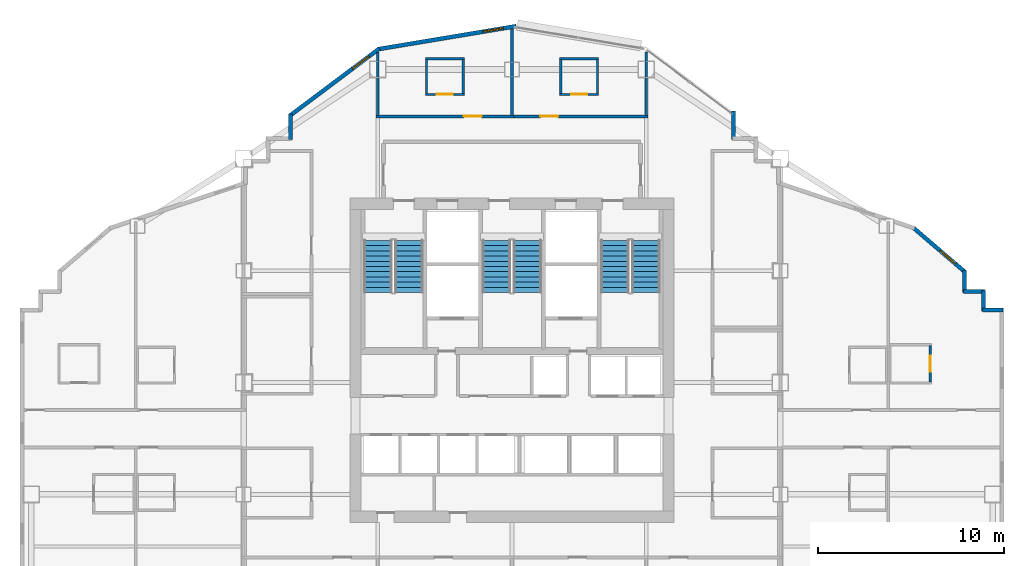
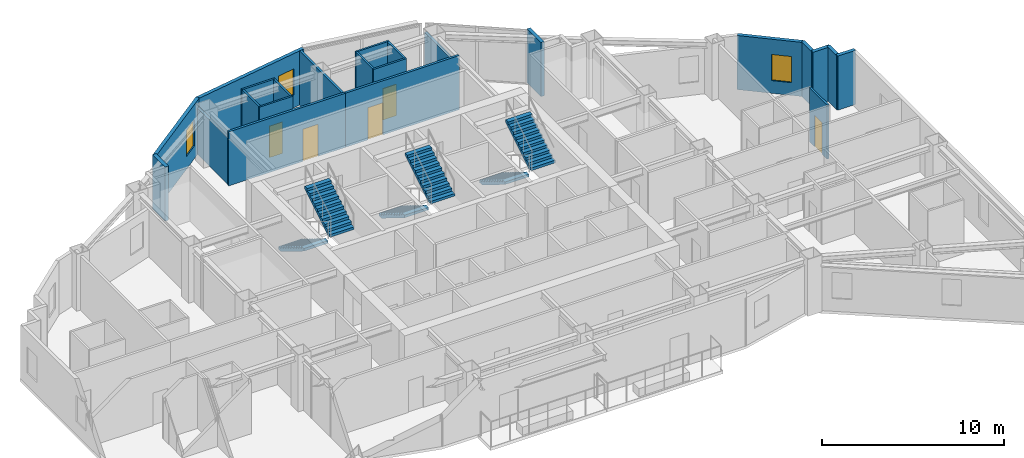
# One storey, part 9 of 12: 23 walls, 6 stair flights, 5 doors, 3 windows, 8 openings, 3 elements without a shape of their own.
"""IFC4 building model written with IfcOpenShell, lengths in metres."""

from ifc_helpers import new_model, si_unit, direction, frame, frame_2d, origin, place, context, subcontext, project, spatial, polyline, rectangle, outline, extrude, material, layer, layer_set, type_object, element, fill, aggregate, save


model = new_model("IFC4")

# Units and contexts
model_context = context("Model", 3, precision=1e-05, world=origin(), true_north=direction((0.0, 1.0)))
body_context = subcontext(model_context, "Body", "Model", "MODEL_VIEW")
ifc_project = project(units=[si_unit("LENGTHUNIT", "METRE"), si_unit("AREAUNIT", "SQUARE_METRE"), si_unit("VOLUMEUNIT", "CUBIC_METRE"), si_unit("PLANEANGLEUNIT", "RADIAN"), si_unit("MASSUNIT", "GRAM", prefix="KILO")], contexts=[model_context])

# Site, building, storey
site_placement = place(None, origin())
site = spatial("IfcSite", under=ifc_project, at=site_placement, CompositionType="ELEMENT")
building_placement = place(site_placement, origin())
building = spatial("IfcBuilding", under=site, at=building_placement, Name="Haolan Belvedere Tower", CompositionType="ELEMENT")
storey_placement = place(building_placement, frame((0.0, 0.0, 169.0)))
storey = spatial("IfcBuildingStorey", under=building, at=storey_placement, Name="L42", CompositionType="ELEMENT", Elevation=169.0)

# Walls
ifc_material_1 = material(Name="Precast concrete C40/50", Category="concrete")
ifc_layer_1 = layer(ifc_material_1, 0.219970703125, Name="Precast concrete C40/50")
ifc_layer_set_1 = layer_set([ifc_layer_1], Name="Precast concrete C40/50")
wall_type_1 = type_object("IfcWallType", Name="WL-EXT-220", PredefinedType="SOLIDWALL", material=ifc_layer_set_1)
wall_1_placement = place(storey_placement, frame((64.7451171875, 37.489990234375, 0.0), z_axis=(0.0, 0.0, 1.0), x_axis=(-1.0, 0.0, 0.0)))
element("IfcWall", 1, at=wall_1_placement, inside=storey, type_object=wall_type_1, Name="L42 pale-metal exterior spandrel wall 9.1", PredefinedType="SOLIDWALL", context=body_context, shape_type="SweptSolid", body=[
    extrude(rectangle(XDim=1.110107421875, YDim=0.219970703125, at=frame_2d((0.55517578125, 0.0))), origin(), (0.0, 0.0, 1.0), 3.6201171875),
])
wall_2_placement = place(storey_placement, frame((63.68994140625, 37.43505859375, 0.0), z_axis=(0.0, 0.0, 1.0), x_axis=(0.0, 1.0, 0.0)))
element("IfcWall", 2, at=wall_2_placement, inside=storey, type_object=wall_type_1, Name="L42 pale-metal exterior spandrel wall 10.1", PredefinedType="SOLIDWALL", context=body_context, shape_type="SweptSolid", body=[
    extrude(rectangle(XDim=1.10986328125, YDim=0.219970703125, at=frame_2d((0.554931640625, 0.0))), origin(), (0.0, 0.0, 1.0), 3.6201171875),
])
wall_3_placement = place(storey_placement, frame((63.7451171875, 38.489990234375, 0.0), z_axis=(0.0, 0.0, 1.0), x_axis=(-1.0, 0.0, 0.0)))
element("IfcWall", 3, at=wall_3_placement, inside=storey, type_object=wall_type_1, Name="L42 pale-metal exterior spandrel wall 11.1", PredefinedType="SOLIDWALL", context=body_context, shape_type="SweptSolid", body=[
    extrude(rectangle(XDim=1.110107421875, YDim=0.219970703125, at=frame_2d((0.55517578125, 0.0))), origin(), (0.0, 0.0, 1.0), 3.6201171875),
])
wall_4_placement = place(storey_placement, frame((62.68994140625, 38.43505859375, 0.0), z_axis=(0.0, 0.0, 1.0), x_axis=(0.0, 1.0, 0.0)))
element("IfcWall", 4, at=wall_4_placement, inside=storey, type_object=wall_type_1, Name="L42 pale-metal exterior spandrel wall 12.1", PredefinedType="SOLIDWALL", context=body_context, shape_type="SweptSolid", body=[
    extrude(rectangle(XDim=1.16943359375, YDim=0.219970703125, at=frame_2d((0.584716796875, 0.0))), origin(), (0.0, 0.0, 1.0), 3.6201171875),
])

# Wall, opening, window
wall_5_placement = place(storey_placement, frame((62.731689453125, 39.513671875, 0.0), z_axis=(0.0, 0.0, 1.0), x_axis=(-0.759251976569, 0.65079677018, 0.0)))
wall_5 = element("IfcWall", 5, at=wall_5_placement, inside=storey, type_object=wall_type_1, Name="L42 pale-metal exterior spandrel wall 13.1", PredefinedType="SOLIDWALL", context=body_context, shape_type="SweptSolid", body=[
    extrude(rectangle(XDim=3.7255859375, YDim=0.219970703125, at=frame_2d((1.86279296875, 0.0))), origin(), (0.0, 0.0, 1.0), 3.6201171875),
])
opening_1_placement = place(wall_5_placement, frame((0.699951171875, 0.0, 0.85009765625)))
opening_1 = element("IfcOpeningElement", 6, at=opening_1_placement, cuts=wall_5, Name="Opening W-03", PredefinedType="OPENING", context=body_context, shape_type="SweptSolid", body=[
    extrude(rectangle(XDim=1.10009765625, YDim=1.75, at=frame_2d((0.550048828125, 0.875))), frame((0.0, 0.119873046875, 0.0), z_axis=(0.0, -1.0, 0.0), x_axis=(1.0, 0.0, 0.0)), (0.0, 0.0, 1.0), 0.239990234375),
])
ifc_material_2 = material(Name="Anodised aluminium 6063-T6 and Low-E glass", Category="aluminium")
window_type = type_object("IfcWindowType", Name="WN-DECO-Z3", PartitioningType="SINGLE_PANEL", PredefinedType="WINDOW", material=ifc_material_2)
window_1_placement = place(opening_1_placement, origin())
window_1 = element("IfcWindow", 7, at=window_1_placement, inside=storey, type_object=window_type, Name="L42 Art Deco chevron window 1", OverallHeight=1.75, OverallWidth=1.10009765625, PartitioningType="SINGLE_PANEL", PredefinedType="WINDOW", context=body_context, shape_type="SweptSolid", body=[
    extrude(rectangle(XDim=1.10009765625, YDim=1.75, at=frame_2d((0.550048828125, 0.875))), frame((0.0, 0.030029296875, 0.0), z_axis=(0.0, -1.0, 0.0), x_axis=(1.0, 0.0, 0.0)), (0.0, 0.0, 1.0), 0.06005859375),
])
fill(opening_1, window_1)

# Wall
wall_6_placement = place(storey_placement, frame((50.2900390625, 46.635009765625, 0.0), z_axis=(0.0, 0.0, 1.0), x_axis=(0.0, 1.0, 0.0)))
element("IfcWall", 8, at=wall_6_placement, inside=storey, type_object=wall_type_1, Name="L42 pale-metal exterior spandrel wall 19.1", PredefinedType="SOLIDWALL", context=body_context, shape_type="SweptSolid", body=[
    extrude(rectangle(XDim=1.534912109375, YDim=0.219970703125, at=frame_2d((0.767578125, 0.0))), origin(), (0.0, 0.0, 1.0), 3.6201171875),
])

# Wall, opening, window
wall_7_placement = place(storey_placement, frame((38.621826171875, 52.7255859375, 0.0), z_axis=(0.0, 0.0, 1.0), x_axis=(-0.986390420428, -0.164420006349, 0.0)))
wall_7 = element("IfcWall", 9, at=wall_7_placement, inside=storey, type_object=wall_type_1, Name="L42 pale-metal exterior spandrel wall 22.1", PredefinedType="SOLIDWALL", context=body_context, shape_type="SweptSolid", body=[
    extrude(rectangle(XDim=7.5341796875, YDim=0.219970703125, at=frame_2d((3.76708984375, 0.0))), origin(), (0.0, 0.0, 1.0), 3.6201171875),
])
opening_2_placement = place(wall_7_placement, frame((0.699951171875, 0.0, 0.85009765625)))
opening_2 = element("IfcOpeningElement", 10, at=opening_2_placement, cuts=wall_7, Name="Opening W-03", PredefinedType="OPENING", context=body_context, shape_type="SweptSolid", body=[
    extrude(rectangle(XDim=1.10009765625, YDim=1.75, at=frame_2d((0.550048828125, 0.875))), frame((0.0, 0.119873046875, 0.0), z_axis=(0.0, -1.0, 0.0), x_axis=(1.0, 0.0, 0.0)), (0.0, 0.0, 1.0), 0.239990234375),
])
window_2_placement = place(opening_2_placement, origin())
window_2 = element("IfcWindow", 11, at=window_2_placement, inside=storey, type_object=window_type, Name="L42 Art Deco chevron window 1", OverallHeight=1.75, OverallWidth=1.10009765625, PartitioningType="SINGLE_PANEL", PredefinedType="WINDOW", context=body_context, shape_type="SweptSolid", body=[
    extrude(rectangle(XDim=1.10009765625, YDim=1.75, at=frame_2d((0.550048828125, 0.875))), frame((0.0, 0.030029296875, 0.0), z_axis=(0.0, -1.0, 0.0), x_axis=(1.0, 0.0, 0.0)), (0.0, 0.0, 1.0), 0.06005859375),
])
fill(opening_2, window_2)

wall_8_placement = place(storey_placement, frame((31.28857421875, 51.52880859375, 0.0), z_axis=(0.0, 0.0, 1.0), x_axis=(-0.800014580093, -0.599980559383, 0.0)))
wall_8 = element("IfcWall", 12, at=wall_8_placement, inside=storey, type_object=wall_type_1, Name="L42 pale-metal exterior spandrel wall 23.1", PredefinedType="SOLIDWALL", context=body_context, shape_type="SweptSolid", body=[
    extrude(rectangle(XDim=6.028076171875, YDim=0.219970703125, at=frame_2d((3.01416015625, 0.0))), origin(), (0.0, 0.0, 1.0), 3.6201171875),
])
opening_3_placement = place(wall_8_placement, frame((0.699951171875, 0.0, 0.85009765625)))
opening_3 = element("IfcOpeningElement", 13, at=opening_3_placement, cuts=wall_8, Name="Opening W-03", PredefinedType="OPENING", context=body_context, shape_type="SweptSolid", body=[
    extrude(rectangle(XDim=1.10009765625, YDim=1.75, at=frame_2d((0.550048828125, 0.875))), frame((0.0, 0.119873046875, 0.0), z_axis=(0.0, -1.0, 0.0), x_axis=(1.0, 0.0, 0.0)), (0.0, 0.0, 1.0), 0.239990234375),
])
window_3_placement = place(opening_3_placement, origin())
window_3 = element("IfcWindow", 14, at=window_3_placement, inside=storey, type_object=window_type, Name="L42 Art Deco chevron window 1", OverallHeight=1.75, OverallWidth=1.10009765625, PartitioningType="SINGLE_PANEL", PredefinedType="WINDOW", context=body_context, shape_type="SweptSolid", body=[
    extrude(rectangle(XDim=1.10009765625, YDim=1.75, at=frame_2d((0.550048828125, 0.875))), frame((0.0, 0.030029296875, 0.0), z_axis=(0.0, -1.0, 0.0), x_axis=(1.0, 0.0, 0.0)), (0.0, 0.0, 1.0), 0.06005859375),
])
fill(opening_3, window_3)

# Wall
wall_9_placement = place(storey_placement, frame((26.510009765625, 48.0, 0.0), z_axis=(0.0, 0.0, 1.0), x_axis=(0.0, -1.0, 0.0)))
element("IfcWall", 15, at=wall_9_placement, inside=storey, type_object=wall_type_1, Name="L42 pale-metal exterior spandrel wall 24.1", PredefinedType="SOLIDWALL", context=body_context, shape_type="SweptSolid", body=[
    extrude(rectangle(XDim=1.364990234375, YDim=0.219970703125, at=frame_2d((0.6826171875, 0.0))), origin(), (0.0, 0.0, 1.0), 3.6201171875),
])

# Wall, opening, door
ifc_material_3 = material(Name="Double gypsum acoustic stud partition", Category="masonry")
ifc_layer_2 = layer(ifc_material_3, 0.14990234375, Name="Double gypsum acoustic stud partition")
ifc_layer_set_2 = layer_set([ifc_layer_2], Name="Double gypsum acoustic stud partition")
wall_type_2 = type_object("IfcWallType", Name="WL-PART-150", PredefinedType="PARTITIONING", material=ifc_layer_set_2)
wall_10_placement = place(storey_placement, frame((31.10009765625, 47.8798828125, 0.0), z_axis=(0.0, 0.0, 1.0), x_axis=(1.0, 0.0, 0.0)))
wall_10 = element("IfcWall", 16, at=wall_10_placement, inside=storey, type_object=wall_type_2, Name="L42 interior partition IW-L42-KN2-S", PredefinedType="PARTITIONING", context=body_context, shape_type="SweptSolid", body=[
    extrude(rectangle(XDim=7.39990234375, YDim=0.14990234375, at=frame_2d((3.699951171875, 0.0))), origin(), (0.0, 0.0, 1.0), 3.6201171875),
])
opening_4_placement = place(wall_10_placement, frame((4.713623046875, 0.0, 0.0)))
opening_4 = element("IfcOpeningElement", 17, at=opening_4_placement, cuts=wall_10, Name="Opening ID-02", PredefinedType="OPENING", context=body_context, shape_type="SweptSolid", body=[
    extrude(rectangle(XDim=0.949951171875, YDim=2.14990234375, at=frame_2d((0.47509765625, 1.074951171875))), frame((0.0, 0.0849609375, 0.0), z_axis=(0.0, -1.0, 0.0), x_axis=(1.0, 0.0, 0.0)), (0.0, 0.0, 1.0), 0.169921875),
])
ifc_material_4 = material(Name="Acoustic oak veneer fire-rated timber", Category="wood")
door_type_1 = type_object("IfcDoorType", Name="DR-GUEST-950", OperationType="NOTDEFINED", PredefinedType="DOOR", material=ifc_material_4)
door_1_placement = place(opening_4_placement, origin())
door_1 = element("IfcDoor", 18, at=door_1_placement, inside=storey, type_object=door_type_1, Name="L42 door ID-L42-KN2-ENT", OperationType="SINGLE_SWING_LEFT", OverallHeight=2.14990234375, OverallWidth=0.949951171875, PredefinedType="DOOR", context=body_context, shape_type="SweptSolid", body=[
    extrude(rectangle(XDim=0.949951171875, YDim=2.14990234375, at=frame_2d((0.47509765625, 1.074951171875))), frame((0.0, 0.02490234375, 0.0), z_axis=(0.0, -1.0, 0.0), x_axis=(1.0, 0.0, 0.0)), (0.0, 0.0, 1.0), 0.050048828125),
])
fill(opening_4, door_1)

# Walls
wall_11_placement = place(storey_placement, frame((31.199951171875, 47.93994140625, 0.0), z_axis=(0.0, 0.0, 1.0), x_axis=(0.0, 1.0, 0.0)))
element("IfcWall", 19, at=wall_11_placement, inside=storey, type_object=wall_type_2, Name="L42 interior partition IW-L42-KN2-W", PredefinedType="PARTITIONING", context=body_context, shape_type="SweptSolid", body=[
    extrude(rectangle(XDim=3.39501953125, YDim=0.14990234375, at=frame_2d((1.697509765625, 0.0))), origin(), (0.0, 0.0, 1.0), 3.10498046875),
])
wall_12_placement = place(storey_placement, frame((38.39990234375, 47.93994140625, 0.0), z_axis=(0.0, 0.0, 1.0), x_axis=(0.0, 1.0, 0.0)))
element("IfcWall", 20, at=wall_12_placement, inside=storey, type_object=wall_type_2, Name="L42 interior partition IW-L42-KN2-E", PredefinedType="PARTITIONING", context=body_context, shape_type="SweptSolid", body=[
    extrude(rectangle(XDim=4.645263671875, YDim=0.14990234375, at=frame_2d((2.32275390625, 0.0))), origin(), (0.0, 0.0, 1.0), 3.6201171875),
])

# Wall, opening, door
wall_13_placement = place(storey_placement, frame((38.501953125, 47.8798828125, 0.0), z_axis=(0.0, 0.0, 1.0), x_axis=(1.0, 0.0, 0.0)))
wall_13 = element("IfcWall", 21, at=wall_13_placement, inside=storey, type_object=wall_type_2, Name="L42 interior partition IW-L42-KN3-S", PredefinedType="PARTITIONING", context=body_context, shape_type="SweptSolid", body=[
    extrude(rectangle(XDim=7.197998046875, YDim=0.14990234375, at=frame_2d((3.59912109375, 0.0))), origin(), (0.0, 0.0, 1.0), 3.6201171875),
])
opening_5_placement = place(wall_13_placement, frame((1.41748046875, 0.0, 0.0)))
opening_5 = element("IfcOpeningElement", 22, at=opening_5_placement, cuts=wall_13, Name="Opening ID-02", PredefinedType="OPENING", context=body_context, shape_type="SweptSolid", body=[
    extrude(rectangle(XDim=0.949951171875, YDim=2.14990234375, at=frame_2d((0.47509765625, 1.074951171875))), frame((0.0, 0.0849609375, 0.0), z_axis=(0.0, -1.0, 0.0), x_axis=(1.0, 0.0, 0.0)), (0.0, 0.0, 1.0), 0.169921875),
])
door_2_placement = place(opening_5_placement, origin())
door_2 = element("IfcDoor", 23, at=door_2_placement, inside=storey, type_object=door_type_1, Name="L42 door ID-L42-KN3-ENT", OperationType="SINGLE_SWING_RIGHT", OverallHeight=2.14990234375, OverallWidth=0.949951171875, PredefinedType="DOOR", context=body_context, shape_type="SweptSolid", body=[
    extrude(rectangle(XDim=0.949951171875, YDim=2.14990234375, at=frame_2d((0.47509765625, 1.074951171875))), frame((0.0, 0.02490234375, 0.0), z_axis=(0.0, -1.0, 0.0), x_axis=(1.0, 0.0, 0.0)), (0.0, 0.0, 1.0), 0.050048828125),
])
fill(opening_5, door_2)

# Walls
wall_14_placement = place(storey_placement, frame((45.60009765625, 47.93994140625, 0.0), z_axis=(0.0, 0.0, 1.0), x_axis=(0.0, 1.0, 0.0)))
element("IfcWall", 24, at=wall_14_placement, inside=storey, type_object=wall_type_2, Name="L42 interior partition IW-L42-KN3-E", PredefinedType="PARTITIONING", context=body_context, shape_type="SweptSolid", body=[
    extrude(rectangle(XDim=3.39501953125, YDim=0.14990234375, at=frame_2d((1.697509765625, 0.0))), origin(), (0.0, 0.0, 1.0), 3.10498046875),
])
ifc_material_5 = material(Name="Moisture-resistant gypsum tile partition", Category="masonry")
ifc_layer_3 = layer(ifc_material_5, 0.1201171875, Name="Moisture-resistant gypsum tile partition")
ifc_layer_set_3 = layer_set([ifc_layer_3], Name="Moisture-resistant gypsum tile partition")
wall_type_3 = type_object("IfcWallType", Name="WL-WET-120", PredefinedType="PARTITIONING", material=ifc_layer_set_3)
wall_15_placement = place(storey_placement, frame((33.75, 50.97998046875, 0.0), z_axis=(0.0, 0.0, 1.0), x_axis=(1.0, 0.0, 0.0)))
element("IfcWall", 25, at=wall_15_placement, inside=storey, type_object=wall_type_3, Name="L42 interior partition IW-L42-KN2-BN", PredefinedType="PARTITIONING", context=body_context, shape_type="SweptSolid", body=[
    extrude(rectangle(XDim=2.10009765625, YDim=0.1201171875, at=frame_2d((1.050048828125, 0.0))), origin(), (0.0, 0.0, 1.0), 3.6201171875),
])

# Wall, opening, door
wall_16_placement = place(storey_placement, frame((33.75, 49.06005859375, 0.0), z_axis=(0.0, 0.0, 1.0), x_axis=(1.0, 0.0, 0.0)))
wall_16 = element("IfcWall", 26, at=wall_16_placement, inside=storey, type_object=wall_type_3, Name="L42 interior partition IW-L42-KN2-BS", PredefinedType="PARTITIONING", context=body_context, shape_type="SweptSolid", body=[
    extrude(rectangle(XDim=2.10009765625, YDim=0.1201171875, at=frame_2d((1.050048828125, 0.0))), origin(), (0.0, 0.0, 1.0), 3.6201171875),
])
opening_6_placement = place(wall_16_placement, frame((0.625, 0.0, 0.0)))
opening_6 = element("IfcOpeningElement", 27, at=opening_6_placement, cuts=wall_16, Name="Opening ID-05", PredefinedType="OPENING", context=body_context, shape_type="SweptSolid", body=[
    extrude(rectangle(XDim=0.85009765625, YDim=2.10009765625, at=frame_2d((0.425048828125, 1.050048828125))), frame((0.0, 0.070068359375, 0.0), z_axis=(0.0, -1.0, 0.0), x_axis=(1.0, 0.0, 0.0)), (0.0, 0.0, 1.0), 0.14013671875),
])
ifc_material_6 = material(Name="Moisture-resistant lacquered timber", Category="wood")
door_type_2 = type_object("IfcDoorType", Name="DR-BATH-850", OperationType="NOTDEFINED", PredefinedType="DOOR", material=ifc_material_6)
door_3_placement = place(opening_6_placement, origin())
door_3 = element("IfcDoor", 28, at=door_3_placement, inside=storey, type_object=door_type_2, Name="L42 door ID-L42-KN2-BATH", OperationType="SINGLE_SWING_RIGHT", OverallHeight=2.10009765625, OverallWidth=0.85009765625, PredefinedType="DOOR", context=body_context, shape_type="SweptSolid", body=[
    extrude(rectangle(XDim=0.85009765625, YDim=2.10009765625, at=frame_2d((0.425048828125, 1.050048828125))), frame((0.0, 0.02490234375, 0.0), z_axis=(0.0, -1.0, 0.0), x_axis=(1.0, 0.0, 0.0)), (0.0, 0.0, 1.0), 0.050048828125),
])
fill(opening_6, door_3)

# Walls
for number, where, z_axis, x_axis, name in (
    (29, (33.81005859375, 49.10498046875, 0.0), (0.0, 0.0, 1.0), (0.0, 1.0, 0.0), "L42 interior partition IW-L42-KN2-BW"),
    (30, (35.7900390625, 49.10498046875, 0.0), (0.0, 0.0, 1.0), (0.0, 1.0, 0.0), "L42 interior partition IW-L42-KN2-BE"),
):
    element("IfcWall", number, at=place(storey_placement, frame(where, z_axis=z_axis, x_axis=x_axis)), inside=storey, type_object=wall_type_3, Name=name, PredefinedType="PARTITIONING", context=body_context, shape_type="SweptSolid", body=[
        extrude(rectangle(XDim=1.830078125, YDim=0.1201171875, at=frame_2d((0.9150390625, 0.0))), origin(), (0.0, 0.0, 1.0), 3.6201171875),
    ])
wall_17_placement = place(storey_placement, frame((40.949951171875, 50.97998046875, 0.0), z_axis=(0.0, 0.0, 1.0), x_axis=(1.0, 0.0, 0.0)))
element("IfcWall", 31, at=wall_17_placement, inside=storey, type_object=wall_type_3, Name="L42 interior partition IW-L42-KN3-BN", PredefinedType="PARTITIONING", context=body_context, shape_type="SweptSolid", body=[
    extrude(rectangle(XDim=2.10009765625, YDim=0.1201171875, at=frame_2d((1.050048828125, 0.0))), origin(), (0.0, 0.0, 1.0), 3.6201171875),
])

# Wall, opening, door
wall_18_placement = place(storey_placement, frame((40.949951171875, 49.06005859375, 0.0), z_axis=(0.0, 0.0, 1.0), x_axis=(1.0, 0.0, 0.0)))
wall_18 = element("IfcWall", 32, at=wall_18_placement, inside=storey, type_object=wall_type_3, Name="L42 interior partition IW-L42-KN3-BS", PredefinedType="PARTITIONING", context=body_context, shape_type="SweptSolid", body=[
    extrude(rectangle(XDim=2.10009765625, YDim=0.1201171875, at=frame_2d((1.050048828125, 0.0))), origin(), (0.0, 0.0, 1.0), 3.6201171875),
])
opening_7_placement = place(wall_18_placement, frame((0.625, 0.0, 0.0)))
opening_7 = element("IfcOpeningElement", 33, at=opening_7_placement, cuts=wall_18, Name="Opening ID-05", PredefinedType="OPENING", context=body_context, shape_type="SweptSolid", body=[
    extrude(rectangle(XDim=0.85009765625, YDim=2.10009765625, at=frame_2d((0.425048828125, 1.050048828125))), frame((0.0, 0.070068359375, 0.0), z_axis=(0.0, -1.0, 0.0), x_axis=(1.0, 0.0, 0.0)), (0.0, 0.0, 1.0), 0.14013671875),
])
door_4_placement = place(opening_7_placement, origin())
door_4 = element("IfcDoor", 34, at=door_4_placement, inside=storey, type_object=door_type_2, Name="L42 door ID-L42-KN3-BATH", OperationType="SINGLE_SWING_LEFT", OverallHeight=2.10009765625, OverallWidth=0.85009765625, PredefinedType="DOOR", context=body_context, shape_type="SweptSolid", body=[
    extrude(rectangle(XDim=0.85009765625, YDim=2.10009765625, at=frame_2d((0.425048828125, 1.050048828125))), frame((0.0, 0.02490234375, 0.0), z_axis=(0.0, -1.0, 0.0), x_axis=(1.0, 0.0, 0.0)), (0.0, 0.0, 1.0), 0.050048828125),
])
fill(opening_7, door_4)

# Walls
for number, where, z_axis, x_axis, name in (
    (35, (41.010009765625, 49.10498046875, 0.0), (0.0, 0.0, 1.0), (0.0, 1.0, 0.0), "L42 interior partition IW-L42-KN3-BW"),
    (36, (42.989990234375, 49.10498046875, 0.0), (0.0, 0.0, 1.0), (0.0, 1.0, 0.0), "L42 interior partition IW-L42-KN3-BE"),
):
    element("IfcWall", number, at=place(storey_placement, frame(where, z_axis=z_axis, x_axis=x_axis)), inside=storey, type_object=wall_type_3, Name=name, PredefinedType="PARTITIONING", context=body_context, shape_type="SweptSolid", body=[
        extrude(rectangle(XDim=1.830078125, YDim=0.1201171875, at=frame_2d((0.9150390625, 0.0))), origin(), (0.0, 0.0, 1.0), 3.6201171875),
    ])

# Wall, opening, door
wall_19_placement = place(storey_placement, frame((60.840087890625, 33.625, 0.0), z_axis=(0.0, 0.0, 1.0), x_axis=(0.0, 1.0, 0.0)))
wall_19 = element("IfcWall", 37, at=wall_19_placement, inside=storey, type_object=wall_type_3, Name="L42 interior partition IW-L42-T4N2-BE", PredefinedType="PARTITIONING", context=body_context, shape_type="SweptSolid", body=[
    extrude(rectangle(XDim=1.9599609375, YDim=0.1201171875, at=frame_2d((0.97998046875, 0.0))), origin(), (0.0, 0.0, 1.0), 3.6201171875),
])
opening_8_placement = place(wall_19_placement, frame((0.554931640625, 0.0, 0.0)))
opening_8 = element("IfcOpeningElement", 38, at=opening_8_placement, cuts=wall_19, Name="Opening ID-05", PredefinedType="OPENING", context=body_context, shape_type="SweptSolid", body=[
    extrude(rectangle(XDim=0.85009765625, YDim=2.10009765625, at=frame_2d((0.425048828125, 1.050048828125))), frame((0.0, 0.070068359375, 0.0), z_axis=(0.0, -1.0, 0.0), x_axis=(1.0, 0.0, 0.0)), (0.0, 0.0, 1.0), 0.14013671875),
])
door_5_placement = place(opening_8_placement, origin())
door_5 = element("IfcDoor", 39, at=door_5_placement, inside=storey, type_object=door_type_2, Name="L42 door ID-L42-T4N2-BATH", OperationType="SINGLE_SWING_RIGHT", OverallHeight=2.10009765625, OverallWidth=0.85009765625, PredefinedType="DOOR", context=body_context, shape_type="SweptSolid", body=[
    extrude(rectangle(XDim=0.85009765625, YDim=2.10009765625, at=frame_2d((0.425048828125, 1.050048828125))), frame((0.0, 0.02490234375, 0.0), z_axis=(0.0, -1.0, 0.0), x_axis=(1.0, 0.0, 0.0)), (0.0, 0.0, 1.0), 0.050048828125),
])
fill(opening_8, door_5)

# Stair, stair flights
ifc_material_7 = material(Name="Concrete C40/50", Category="concrete")
stair_type = type_object("IfcStairType", Name="STR-DL-22R-173", PredefinedType="HALF_TURN_STAIR", material=ifc_material_7)
stair_1_placement = place(storey_placement, origin())
stair_1 = element("IfcStair", 40, at=stair_1_placement, inside=storey, type_object=stair_type, Name="L42 Smokeproof Core Exit Stair ST1", PredefinedType="HALF_TURN_STAIR")
stair_flight_type = type_object("IfcStairFlightType", Name="SFL-DL-11R-173", PredefinedType="STRAIGHT", material=ifc_material_7)
stair_flight_1_placement = place(storey_placement, frame((31.2099609375, 41.22998046875, 0.0), z_axis=(0.0, 0.0, 1.0), x_axis=(0.0, -1.0, 0.0)))
stair_flight_1 = element("IfcStairFlight", 41, at=stair_flight_1_placement, type_object=stair_flight_type, Name="ST1 flight 1", NumberOfRisers=11, NumberOfTreads=10, PredefinedType="STRAIGHT", RiserHeight=0.172727273, TreadLength=0.28, context=body_context, shape_type="SweptSolid", body=[
    extrude(outline(polyline([(0.0, 0.0), (0.0, 0.172607421875), (0.280029296875, 0.172607421875), (0.280029296875, 0.345458984375), (0.56005859375, 0.345458984375), (0.56005859375, 0.51806640625), (0.840087890625, 0.51806640625), (0.840087890625, 0.69091796875), (1.1201171875, 0.69091796875), (1.1201171875, 0.863525390625), (1.39990234375, 0.863525390625), (1.39990234375, 1.036376953125), (1.679931640625, 1.036376953125), (1.679931640625, 1.208984375), (1.9599609375, 1.208984375), (1.9599609375, 1.3818359375), (2.239990234375, 1.3818359375), (2.239990234375, 1.554443359375), (2.52001953125, 1.554443359375), (2.52001953125, 1.727294921875), (2.800048828125, 1.727294921875), (2.800048828125, 1.89990234375), (2.800048828125, 1.551025390625), (0.285400390625, 0.0), (0.0, 0.0)])), frame((0.0, 0.760009765625, 0.0), z_axis=(0.0, -1.0, 0.0), x_axis=(1.0, 0.0, 0.0)), (0.0, 0.0, 1.0), 1.52001953125),
])
stair_flight_2_placement = place(storey_placement, frame((32.8701171875, 38.429931640625, 1.89990234375), z_axis=(0.0, 0.0, 1.0), x_axis=(0.0, 1.0, 0.0)))
stair_flight_2 = element("IfcStairFlight", 42, at=stair_flight_2_placement, type_object=stair_flight_type, Name="ST1 flight 2", NumberOfRisers=11, NumberOfTreads=10, PredefinedType="STRAIGHT", RiserHeight=0.172727273, TreadLength=0.28, context=body_context, shape_type="SweptSolid", body=[
    extrude(outline(polyline([(0.0, 0.0), (0.0, 0.172607421875), (0.280029296875, 0.172607421875), (0.280029296875, 0.345458984375), (0.56005859375, 0.345458984375), (0.56005859375, 0.51806640625), (0.840087890625, 0.51806640625), (0.840087890625, 0.69091796875), (1.1201171875, 0.69091796875), (1.1201171875, 0.863525390625), (1.39990234375, 0.863525390625), (1.39990234375, 1.036376953125), (1.679931640625, 1.036376953125), (1.679931640625, 1.208984375), (1.9599609375, 1.208984375), (1.9599609375, 1.3818359375), (2.239990234375, 1.3818359375), (2.239990234375, 1.554443359375), (2.52001953125, 1.554443359375), (2.52001953125, 1.727294921875), (2.800048828125, 1.727294921875), (2.800048828125, 1.89990234375), (2.800048828125, 1.551025390625), (0.285400390625, 0.0), (0.0, 0.0)])), frame((0.0, 0.760009765625, 0.0), z_axis=(0.0, -1.0, 0.0), x_axis=(1.0, 0.0, 0.0)), (0.0, 0.0, 1.0), 1.52001953125),
])
aggregate(stair_1, [stair_flight_1, stair_flight_2])

stair_2_placement = place(storey_placement, origin())
stair_2 = element("IfcStair", 43, at=stair_2_placement, inside=storey, type_object=stair_type, Name="L42 Smokeproof Core Exit Stair ST3", PredefinedType="HALF_TURN_STAIR")
stair_flight_3_placement = place(storey_placement, frame((37.570068359375, 41.22998046875, 0.0), z_axis=(0.0, 0.0, 1.0), x_axis=(0.0, -1.0, 0.0)))
stair_flight_3 = element("IfcStairFlight", 44, at=stair_flight_3_placement, type_object=stair_flight_type, Name="ST3 flight 1", NumberOfRisers=11, NumberOfTreads=10, PredefinedType="STRAIGHT", RiserHeight=0.172727273, TreadLength=0.28, context=body_context, shape_type="SweptSolid", body=[
    extrude(outline(polyline([(0.0, 0.0), (0.0, 0.172607421875), (0.280029296875, 0.172607421875), (0.280029296875, 0.345458984375), (0.56005859375, 0.345458984375), (0.56005859375, 0.51806640625), (0.840087890625, 0.51806640625), (0.840087890625, 0.69091796875), (1.1201171875, 0.69091796875), (1.1201171875, 0.863525390625), (1.39990234375, 0.863525390625), (1.39990234375, 1.036376953125), (1.679931640625, 1.036376953125), (1.679931640625, 1.208984375), (1.9599609375, 1.208984375), (1.9599609375, 1.3818359375), (2.239990234375, 1.3818359375), (2.239990234375, 1.554443359375), (2.52001953125, 1.554443359375), (2.52001953125, 1.727294921875), (2.800048828125, 1.727294921875), (2.800048828125, 1.89990234375), (2.800048828125, 1.551025390625), (0.285400390625, 0.0), (0.0, 0.0)])), frame((0.0, 0.760009765625, 0.0), z_axis=(0.0, -1.0, 0.0), x_axis=(1.0, 0.0, 0.0)), (0.0, 0.0, 1.0), 1.52001953125),
])
stair_flight_4_placement = place(storey_placement, frame((39.22998046875, 38.429931640625, 1.89990234375), z_axis=(0.0, 0.0, 1.0), x_axis=(0.0, 1.0, 0.0)))
stair_flight_4 = element("IfcStairFlight", 45, at=stair_flight_4_placement, type_object=stair_flight_type, Name="ST3 flight 2", NumberOfRisers=11, NumberOfTreads=10, PredefinedType="STRAIGHT", RiserHeight=0.172727273, TreadLength=0.28, context=body_context, shape_type="SweptSolid", body=[
    extrude(outline(polyline([(0.0, 0.0), (0.0, 0.172607421875), (0.280029296875, 0.172607421875), (0.280029296875, 0.345458984375), (0.56005859375, 0.345458984375), (0.56005859375, 0.51806640625), (0.840087890625, 0.51806640625), (0.840087890625, 0.69091796875), (1.1201171875, 0.69091796875), (1.1201171875, 0.863525390625), (1.39990234375, 0.863525390625), (1.39990234375, 1.036376953125), (1.679931640625, 1.036376953125), (1.679931640625, 1.208984375), (1.9599609375, 1.208984375), (1.9599609375, 1.3818359375), (2.239990234375, 1.3818359375), (2.239990234375, 1.554443359375), (2.52001953125, 1.554443359375), (2.52001953125, 1.727294921875), (2.800048828125, 1.727294921875), (2.800048828125, 1.89990234375), (2.800048828125, 1.551025390625), (0.285400390625, 0.0), (0.0, 0.0)])), frame((0.0, 0.760009765625, 0.0), z_axis=(0.0, -1.0, 0.0), x_axis=(1.0, 0.0, 0.0)), (0.0, 0.0, 1.0), 1.52001953125),
])
aggregate(stair_2, [stair_flight_3, stair_flight_4])

stair_3_placement = place(storey_placement, origin())
stair_3 = element("IfcStair", 46, at=stair_3_placement, inside=storey, type_object=stair_type, Name="L42 Smokeproof Core Exit Stair ST2", PredefinedType="HALF_TURN_STAIR")
stair_flight_5_placement = place(storey_placement, frame((43.929931640625, 41.22998046875, 0.0), z_axis=(0.0, 0.0, 1.0), x_axis=(0.0, -1.0, 0.0)))
stair_flight_5 = element("IfcStairFlight", 47, at=stair_flight_5_placement, type_object=stair_flight_type, Name="ST2 flight 1", NumberOfRisers=11, NumberOfTreads=10, PredefinedType="STRAIGHT", RiserHeight=0.172727273, TreadLength=0.28, context=body_context, shape_type="SweptSolid", body=[
    extrude(outline(polyline([(0.0, 0.0), (0.0, 0.172607421875), (0.280029296875, 0.172607421875), (0.280029296875, 0.345458984375), (0.56005859375, 0.345458984375), (0.56005859375, 0.51806640625), (0.840087890625, 0.51806640625), (0.840087890625, 0.69091796875), (1.1201171875, 0.69091796875), (1.1201171875, 0.863525390625), (1.39990234375, 0.863525390625), (1.39990234375, 1.036376953125), (1.679931640625, 1.036376953125), (1.679931640625, 1.208984375), (1.9599609375, 1.208984375), (1.9599609375, 1.3818359375), (2.239990234375, 1.3818359375), (2.239990234375, 1.554443359375), (2.52001953125, 1.554443359375), (2.52001953125, 1.727294921875), (2.800048828125, 1.727294921875), (2.800048828125, 1.89990234375), (2.800048828125, 1.551025390625), (0.285400390625, 0.0), (0.0, 0.0)])), frame((0.0, 0.760009765625, 0.0), z_axis=(0.0, -1.0, 0.0), x_axis=(1.0, 0.0, 0.0)), (0.0, 0.0, 1.0), 1.52001953125),
])
stair_flight_6_placement = place(storey_placement, frame((45.590087890625, 38.429931640625, 1.89990234375), z_axis=(0.0, 0.0, 1.0), x_axis=(0.0, 1.0, 0.0)))
stair_flight_6 = element("IfcStairFlight", 48, at=stair_flight_6_placement, type_object=stair_flight_type, Name="ST2 flight 2", NumberOfRisers=11, NumberOfTreads=10, PredefinedType="STRAIGHT", RiserHeight=0.172727273, TreadLength=0.28, context=body_context, shape_type="SweptSolid", body=[
    extrude(outline(polyline([(0.0, 0.0), (0.0, 0.172607421875), (0.280029296875, 0.172607421875), (0.280029296875, 0.345458984375), (0.56005859375, 0.345458984375), (0.56005859375, 0.51806640625), (0.840087890625, 0.51806640625), (0.840087890625, 0.69091796875), (1.1201171875, 0.69091796875), (1.1201171875, 0.863525390625), (1.39990234375, 0.863525390625), (1.39990234375, 1.036376953125), (1.679931640625, 1.036376953125), (1.679931640625, 1.208984375), (1.9599609375, 1.208984375), (1.9599609375, 1.3818359375), (2.239990234375, 1.3818359375), (2.239990234375, 1.554443359375), (2.52001953125, 1.554443359375), (2.52001953125, 1.727294921875), (2.800048828125, 1.727294921875), (2.800048828125, 1.89990234375), (2.800048828125, 1.551025390625), (0.285400390625, 0.0), (0.0, 0.0)])), frame((0.0, 0.760009765625, 0.0), z_axis=(0.0, -1.0, 0.0), x_axis=(1.0, 0.0, 0.0)), (0.0, 0.0, 1.0), 1.52001953125),
])
aggregate(stair_3, [stair_flight_5, stair_flight_6])

save(model, "model.ifc")
